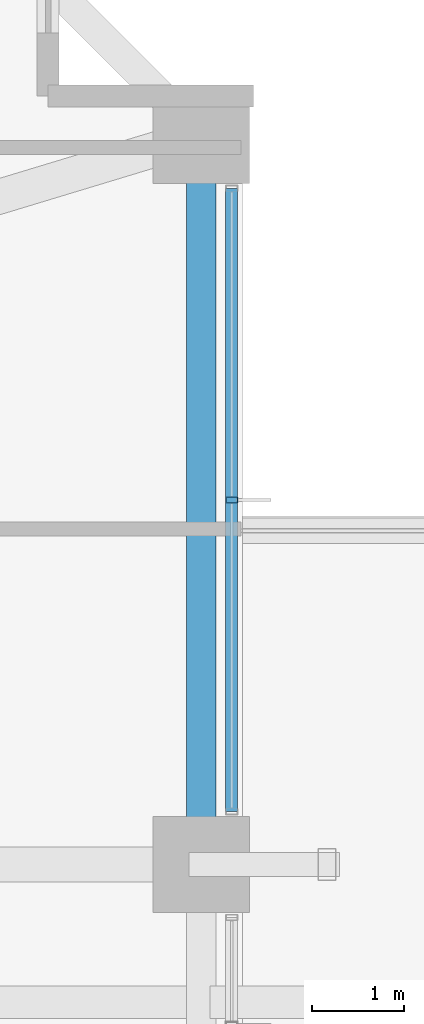
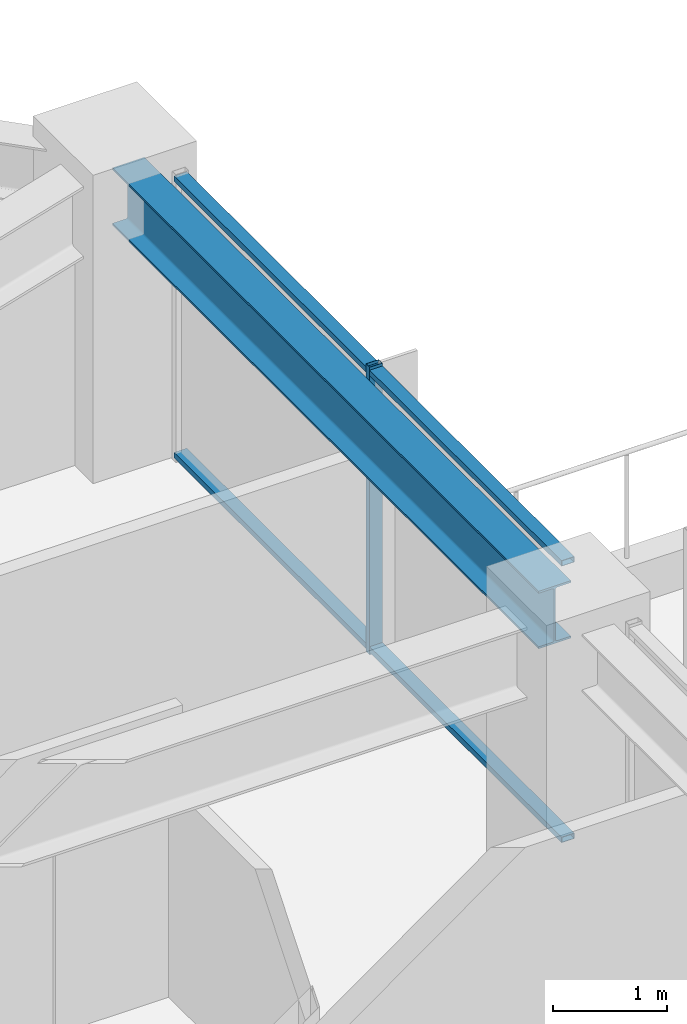
# One storey, part 19 of 38: 3 members, 1 beam, 1 element without a shape of its own.
"""IFC4 building model written with IfcOpenShell, lengths in metres."""

import ifcopenshell
import ifcopenshell.guid

model = None  # the IFC model being written
_history = None  # IfcOwnerHistory: only IFC2X3 demands one
_inside = {}  # id of a spatial element -> (the spatial element, [elements in it])
_under = {}  # id of a project, library or spatial element -> (it, [spatial elements below it])
_declared = {}  # id of a project -> (the project, [libraries it declares])
_typed = {}  # id of a type object -> (the type object, [elements of that type])
_made_of = {}  # id of a material, layer set ... -> (it, [elements and type objects made of it])


def new_model(schema):
    """Start an empty IFC model of exactly this schema.

    Asked for "IFC4X3", IfcOpenShell would pick the latest addendum, in which some entities
    have other attributes; the version numbers below select the first issue.
    IFC2X3 requires an IfcOwnerHistory on every rooted entity: one is made here for all.
    """
    global model, _history
    if schema == "IFC4X3":
        model = ifcopenshell.file(schema_version=(4, 3, 0, 0))
    else:
        model = ifcopenshell.file(schema=schema)
    _inside.clear()
    _under.clear()
    _declared.clear()
    _typed.clear()
    _made_of.clear()
    _history = None
    if model.schema == "IFC2X3":
        org = make("IfcOrganization", Name="unknown")
        user = make(
            "IfcPersonAndOrganization",
            ThePerson=make("IfcPerson", FamilyName="unknown"),
            TheOrganization=org,
        )
        app = make(
            "IfcApplication",
            ApplicationDeveloper=org,
            Version="unknown",
            ApplicationFullName="unknown",
            ApplicationIdentifier="unknown",
        )
        _history = make(
            "IfcOwnerHistory",
            OwningUser=user,
            OwningApplication=app,
            ChangeAction="ADDED",
            CreationDate=0,
        )
    return model


def make(cls, **values):
    """One entity of the class cls with the attributes given. An attribute that is None is left unset."""
    return model.create_entity(
        cls, **{name: value for name, value in values.items() if value is not None}
    )


def rooted(cls, **values):
    """An entity with a GlobalId (a new one), such as an element, a storey or a relation."""
    return make(cls, GlobalId=ifcopenshell.guid.new(), OwnerHistory=_history, **values)


def si_unit(unit_type, name, prefix=None):
    """IfcSIUnit, for example si_unit("LENGTHUNIT", "METRE", prefix="MILLI")."""
    return make("IfcSIUnit", UnitType=unit_type, Prefix=prefix, Name=name)


def assignment(units):
    """IfcUnitAssignment: the units of a project."""
    return None if units is None else make("IfcUnitAssignment", Units=units)


def point(xyz):
    """IfcCartesianPoint."""
    return None if xyz is None else make("IfcCartesianPoint", Coordinates=xyz)


def direction(xyz):
    """IfcDirection."""
    return None if xyz is None else make("IfcDirection", DirectionRatios=xyz)


def frame(location, z_axis=None, x_axis=None):
    """IfcAxis2Placement3D, a coordinate frame: its origin and axes. An axis left out is left unset."""
    return make(
        "IfcAxis2Placement3D",
        Location=point(location),
        Axis=direction(z_axis),
        RefDirection=direction(x_axis),
    )


def frame_2d(location, x_axis=None):
    """IfcAxis2Placement2D, a coordinate frame in the plane: its origin and x axis."""
    return make(
        "IfcAxis2Placement2D", Location=point(location), RefDirection=direction(x_axis)
    )


def origin():
    """The frame at (0, 0, 0) with its axes left unset."""
    return frame((0.0, 0.0, 0.0))


def origin_2d():
    """The frame at (0, 0) in the plane with its x axis left unset."""
    return frame_2d((0.0, 0.0))


def place(relative_to, where):
    """IfcLocalPlacement: puts the frame where relative to a parent placement (None: the world)."""
    return make(
        "IfcLocalPlacement", PlacementRelTo=relative_to, RelativePlacement=where
    )


def context(
    kind, dimensions, precision=None, world=None, true_north=None, identifier=None
):
    """IfcGeometricRepresentationContext, for example the 3D "Model" context."""
    return make(
        "IfcGeometricRepresentationContext",
        ContextIdentifier=identifier,
        ContextType=kind,
        CoordinateSpaceDimension=dimensions,
        Precision=precision,
        WorldCoordinateSystem=world,
        TrueNorth=true_north,
    )


def subcontext(parent, identifier, kind, view, scale=None):
    """IfcGeometricRepresentationSubContext, for example "Body" below "Model"."""
    return make(
        "IfcGeometricRepresentationSubContext",
        ContextIdentifier=identifier,
        ContextType=kind,
        ParentContext=parent,
        TargetScale=scale,
        TargetView=view,
    )


def project(units=None, contexts=None):
    """IfcProject with its units and contexts."""
    return rooted(
        "IfcProject",
        Name="project",
        RepresentationContexts=contexts,
        UnitsInContext=assignment(units),
    )


def spatial(cls, under=None, at=None, **own):
    """A site, building, storey or space (cls), placed at a placement, below another one or the project."""
    s = rooted(cls, ObjectPlacement=at, **own)
    if under is not None:
        _under.setdefault(under.id(), (under, []))[1].append(s)
    return s


def profile(cls, at=None, kind="AREA", **sizes):
    """A parametric profile (cls). Its sizes go by their IFC names, for example OverallWidth=200.0."""
    return make(cls, ProfileType=kind, Position=at, **sizes)


def hollow_rectangle(**sizes):
    """IfcRectangleHollowProfileDef."""
    return profile("IfcRectangleHollowProfileDef", **sizes)


def i_section(**sizes):
    """IfcIShapeProfileDef."""
    return profile("IfcIShapeProfileDef", **sizes)


def extrude(swept, where, along, depth):
    """IfcExtrudedAreaSolid: the profile swept, set in the frame where, extruded along a direction by depth."""
    return make(
        "IfcExtrudedAreaSolid",
        SweptArea=swept,
        Position=where,
        ExtrudedDirection=direction(along),
        Depth=depth,
    )


def shape(context_of_items, identifier, shape_type, items):
    """IfcShapeRepresentation: the items that make up one representation, for example the "Body"."""
    return make(
        "IfcShapeRepresentation",
        ContextOfItems=context_of_items,
        RepresentationIdentifier=identifier,
        RepresentationType=shape_type,
        Items=items,
    )


def material(Name=None, Category=None):
    """IfcMaterial."""
    return make("IfcMaterial", Name=Name, Category=Category)


def material_profile(
    of_material, cross_section, Name=None, Category=None, Priority=None
):
    """IfcMaterialProfile: a cross section and its material."""
    return make(
        "IfcMaterialProfile",
        Name=Name,
        Material=of_material,
        Profile=cross_section,
        Priority=Priority,
        Category=Category,
    )


def profile_set(profiles, Name=None, composite=None):
    """IfcMaterialProfileSet."""
    return make(
        "IfcMaterialProfileSet",
        Name=Name,
        MaterialProfiles=profiles,
        CompositeProfile=composite,
    )


def made_of(thing, what):
    """Note that an element or type object is made of a material, layer set ...; save() writes the relation."""
    if what is not None:
        _made_of.setdefault(what.id(), (what, []))[1].append(thing)
    return thing


def type_object(cls, material=None, **own):
    """A type object (cls), such as IfcWallType, which elements share."""
    return made_of(rooted(cls, **own), material)


def element(
    cls,
    number,
    at=None,
    inside=None,
    cuts=None,
    type_object=None,
    material=None,
    context=None,
    identifier="Body",
    shape_type=None,
    held_by="IfcProductDefinitionShape",
    body=None,
    shapes=None,
    **own,
):
    """One element of the class cls, such as IfcWall. Its Tag is "e" and its number.

    at: its placement. inside: the storey or other place that contains it. cuts: it is an
    opening in that element (IfcRelVoidsElement). A single representation is given by context,
    identifier, shape_type and body (its items); several are given by shapes. held_by: the class
    of the entity that holds the representations. save() writes the other relations.
    """
    e = rooted(cls, Tag="e%d" % number, ObjectPlacement=at, **own)
    if body is not None:
        shapes = [shape(context, identifier, shape_type, body)]
    if shapes is not None:
        e.Representation = make(held_by, Representations=shapes)
    if inside is not None:
        _inside.setdefault(inside.id(), (inside, []))[1].append(e)
    if cuts is not None:
        rooted(
            "IfcRelVoidsElement", RelatingBuildingElement=cuts, RelatedOpeningElement=e
        )
    if type_object is not None:
        _typed.setdefault(type_object.id(), (type_object, []))[1].append(e)
    return made_of(e, material)


def aggregate(whole, parts):
    """IfcRelAggregates: a whole, such as a stair, and the parts it consists of."""
    return rooted("IfcRelAggregates", RelatingObject=whole, RelatedObjects=parts)


def save(model, path):
    """Write the relations noted so far, then the file.

    IfcRelAggregates (storeys below a building ...), IfcRelContainedInSpatialStructure (elements
    in a storey), IfcRelDefinesByType, IfcRelAssociatesMaterial and IfcRelDeclares: one each for
    every whole, place, type object, material and project.
    """
    for whole, parts in _under.values():
        aggregate(whole, parts)
    for where, things in _inside.values():
        rooted(
            "IfcRelContainedInSpatialStructure",
            RelatedElements=things,
            RelatingStructure=where,
        )
    for kind, things in _typed.values():
        rooted("IfcRelDefinesByType", RelatedObjects=things, RelatingType=kind)
    for what, things in _made_of.values():
        rooted("IfcRelAssociatesMaterial", RelatedObjects=things, RelatingMaterial=what)
    for by, libraries in _declared.values():
        rooted("IfcRelDeclares", RelatingContext=by, RelatedDefinitions=libraries)
    model.write(path)


model = new_model("IFC4")

# Units and contexts
model_context = context("Model", 3, precision=1e-05, world=origin(), true_north=direction((0.0, 1.0)))
body_context = subcontext(model_context, "Body", "Model", "MODEL_VIEW")
ifc_project = project(units=[si_unit("LENGTHUNIT", "METRE"), si_unit("AREAUNIT", "SQUARE_METRE"), si_unit("VOLUMEUNIT", "CUBIC_METRE"), si_unit("PLANEANGLEUNIT", "RADIAN"), si_unit("MASSUNIT", "GRAM", prefix="KILO")], contexts=[model_context])

# Site, building, storey
site_placement = place(None, origin())
site = spatial("IfcSite", under=ifc_project, at=site_placement, CompositionType="ELEMENT")
building_placement = place(site_placement, origin())
building = spatial("IfcBuilding", under=site, at=building_placement, Name="Kolvaren Belvedere", CompositionType="ELEMENT")
storey_placement = place(building_placement, frame((0.0, 0.0, 121.699951171875)))
storey = spatial("IfcBuildingStorey", under=building, at=storey_placement, Name="L35", CompositionType="ELEMENT", Elevation=121.699951171875)

# Beam
ifc_material_1 = material(Name="Structural steel ASTM A992 Grade 50", Category="steel")
ifc_material_profile_1 = material_profile(ifc_material_1, i_section(OverallWidth=0.324951171875, OverallDepth=0.615966796875, WebThickness=0.013916015625, FlangeThickness=0.021484375, FilletRadius=0.02001953125, at=origin_2d()), Name="W24X117")
ifc_profile_set_1 = profile_set([ifc_material_profile_1], Name="Structural steel ASTM A992 Grade 50")
beam_type = type_object("IfcBeamType", Name="BM-SPAN-W24X117", PredefinedType="SPANDREL", material=ifc_profile_set_1)
beam_placement = place(storey_placement, frame((18.64990234375, 4.836181640625, 2.77197265625), z_axis=(0.0, 1.0, 0.0), x_axis=(-1.0, 0.0, 0.0)))
element("IfcBeam", 1, at=beam_placement, inside=storey, type_object=beam_type, Name="L35 Perimeter Spandrel E3-E4", PredefinedType="SPANDREL", context=body_context, shape_type="SweptSolid", body=[
    extrude(i_section(OverallWidth=0.324951171875, OverallDepth=0.615966796875, WebThickness=0.013916015625, FlangeThickness=0.021484375, FilletRadius=0.02001953125, at=origin_2d()), origin(), (0.0, 0.0, 1.0), 7.4775390625),
])

# Curtain wall, members
ifc_material_2 = material(Name="Anodised pale-metal aluminium AA 6063-T6", Category="aluminium")
curtain_wall_type = type_object("IfcCurtainWallType", Name="CW-Z3-WAIST", PredefinedType="NOTDEFINED", material=ifc_material_2)
curtain_wall_placement = place(storey_placement, origin())
curtain_wall = element("IfcCurtainWall", 2, at=curtain_wall_placement, inside=storey, type_object=curtain_wall_type, Name="L35 Unitised Curtain Wall FCW-L35-E1-B1", PredefinedType="NOTDEFINED")
ifc_material_3 = material(Name="Anodised pale-metal aluminium AA 6063-T6", Category="aluminium")
ifc_material_profile_2 = material_profile(ifc_material_3, hollow_rectangle(XDim=0.06494140625, YDim=0.1298828125, WallThickness=0.00390625, at=origin_2d()), Name="ALU-MUL-130X65")
ifc_profile_set_2 = profile_set([ifc_material_profile_2], Name="Anodised pale-metal aluminium AA 6063-T6")
member_type_1 = type_object("IfcMemberType", Name="CW-MUL-130", PredefinedType="MULLION", material=ifc_profile_set_2)
member_1_placement = place(storey_placement, frame((18.97998046875, 8.574951171875, 0.0), z_axis=(0.0, 0.0, 1.0), x_axis=(0.0, 1.0, 0.0)))
member_1 = element("IfcMember", 3, at=member_1_placement, type_object=member_type_1, Name="FCW-L35-E1-B1 Unitised Mullion 2", PredefinedType="MULLION", context=body_context, shape_type="SweptSolid", body=[
    extrude(hollow_rectangle(XDim=0.06494140625, YDim=0.1298828125, WallThickness=0.00390625, at=origin_2d()), origin(), (0.0, 0.0, 1.0), 3.080078125),
])
ifc_material_4 = material(Name="Anodised pale-metal aluminium AA 6063-T6", Category="aluminium")
ifc_material_profile_3 = material_profile(ifc_material_4, hollow_rectangle(XDim=0.06005859375, YDim=0.1298828125, WallThickness=0.00390625, at=origin_2d()), Name="ALU-TRN-130X60")
ifc_profile_set_3 = profile_set([ifc_material_profile_3], Name="Anodised pale-metal aluminium AA 6063-T6")
member_type_2 = type_object("IfcMemberType", Name="CW-TRN-130", PredefinedType="USERDEFINED", material=ifc_profile_set_3)
member_2_placement = place(storey_placement, frame((18.97998046875, 11.972412109375, 0.06005859375), z_axis=(0.0, -1.0, 0.0), x_axis=(0.0, 0.0, 1.0)))
member_2 = element("IfcMember", 4, at=member_2_placement, type_object=member_type_2, Name="FCW-L35-E1-B1 Sill Transom", ObjectType="TRANSOM", PredefinedType="USERDEFINED", context=body_context, shape_type="SweptSolid", body=[
    extrude(hollow_rectangle(XDim=0.06005859375, YDim=0.1298828125, WallThickness=0.00390625, at=origin_2d()), origin(), (0.0, 0.0, 1.0), 6.794921875),
])
member_3_placement = place(storey_placement, frame((18.97998046875, 11.972412109375, 3.02001953125), z_axis=(0.0, -1.0, 0.0), x_axis=(0.0, 0.0, 1.0)))
member_3 = element("IfcMember", 5, at=member_3_placement, type_object=member_type_2, Name="FCW-L35-E1-B1 Head Transom", ObjectType="TRANSOM", PredefinedType="USERDEFINED", context=body_context, shape_type="SweptSolid", body=[
    extrude(hollow_rectangle(XDim=0.06005859375, YDim=0.1298828125, WallThickness=0.00390625, at=origin_2d()), origin(), (0.0, 0.0, 1.0), 6.794921875),
])
aggregate(curtain_wall, [member_1, member_2, member_3])

save(model, "model.ifc")
